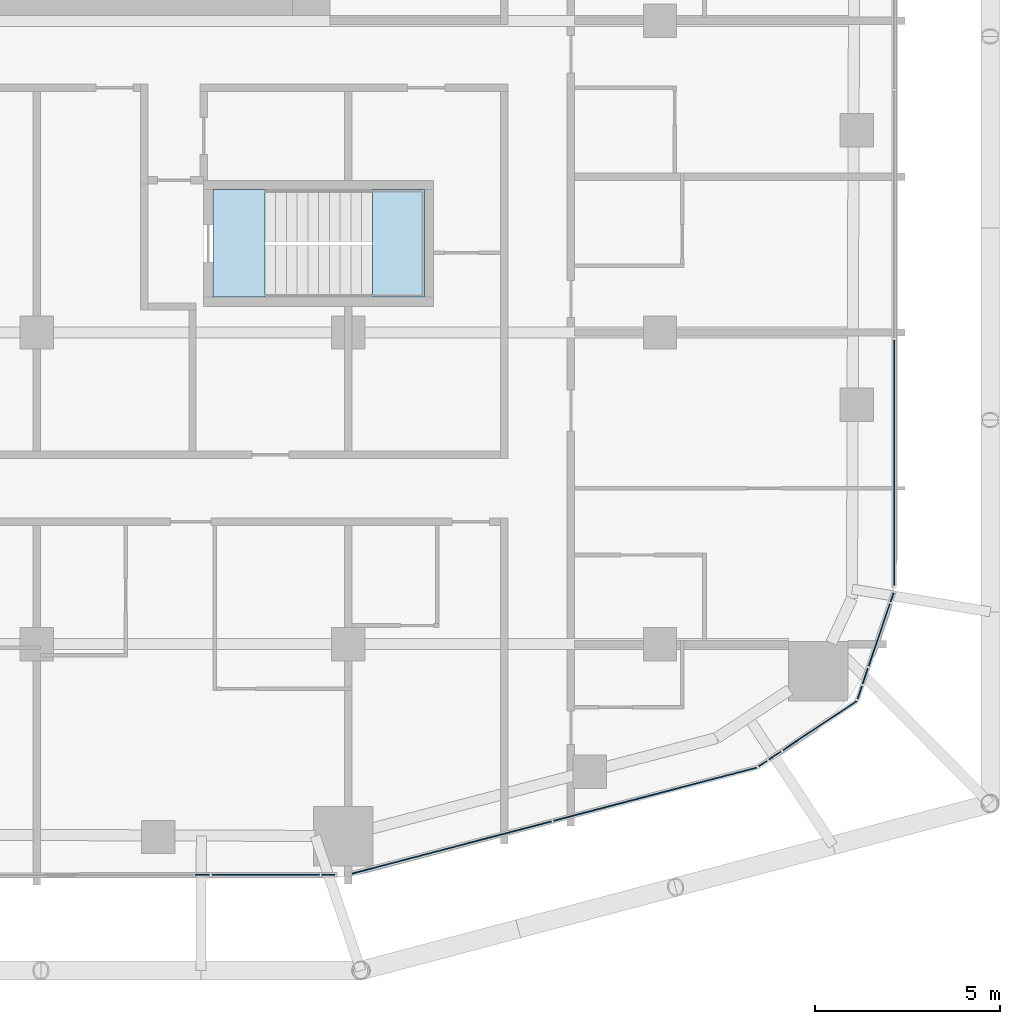
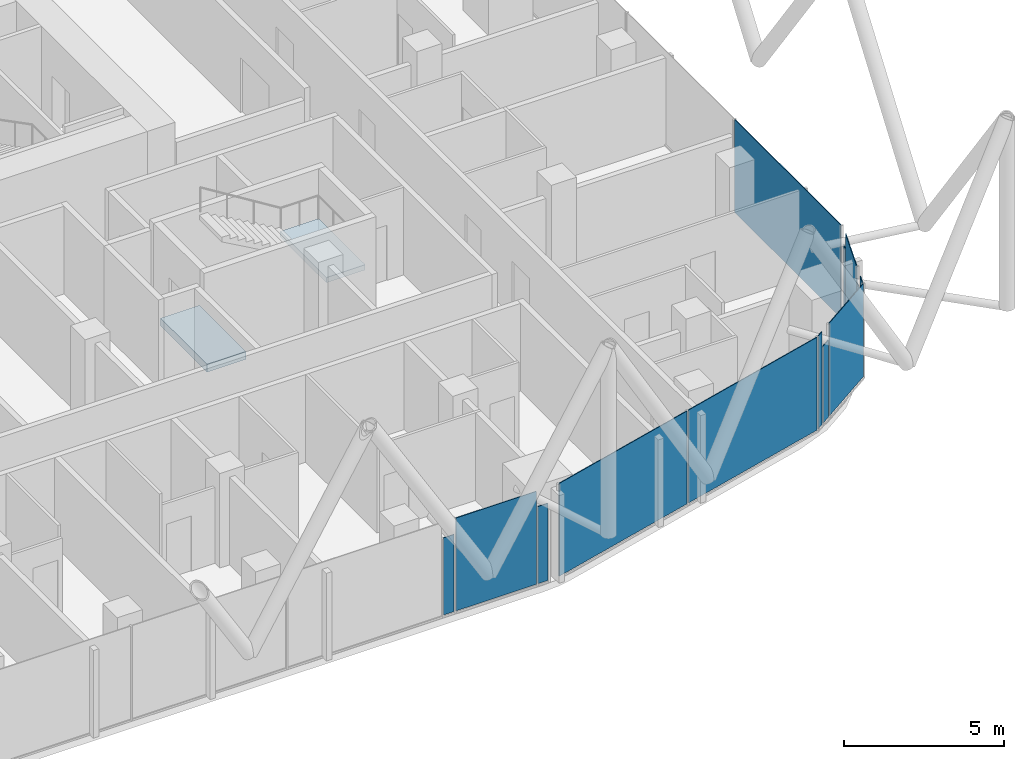
# One storey, part 22 of 36: 13 plates, 2 slabs, 13 elements without a shape of their own.
"""IFC4 building model written with IfcOpenShell, lengths in metres."""

from ifc_helpers import new_model, si_unit, direction, frame, origin, origin_2d, place, context, subcontext, project, spatial, polyline, rectangle, outline, extrude, material, layer, layer_set, type_object, element, aggregate, save


model = new_model("IFC4")

# Units and contexts
model_context = context("Model", 3, precision=1e-05, world=origin(), true_north=direction((0.0, 1.0)))
body_context = subcontext(model_context, "Body", "Model", "MODEL_VIEW")
ifc_project = project(units=[si_unit("LENGTHUNIT", "METRE"), si_unit("AREAUNIT", "SQUARE_METRE"), si_unit("VOLUMEUNIT", "CUBIC_METRE"), si_unit("PLANEANGLEUNIT", "RADIAN"), si_unit("MASSUNIT", "GRAM", prefix="KILO")], contexts=[model_context])

# Site, building, storey
site_placement = place(None, origin())
site = spatial("IfcSite", under=ifc_project, at=site_placement, CompositionType="ELEMENT")
building_placement = place(site_placement, origin())
building = spatial("IfcBuilding", under=site, at=building_placement, Name="Marenta Gate Hotel Tower", CompositionType="ELEMENT")
storey_placement = place(building_placement, frame((0.0, 0.0, 130.10009765625)))
storey = spatial("IfcBuildingStorey", under=building, at=storey_placement, Name="L29", CompositionType="ELEMENT", Elevation=130.10009765625)

# Curtain wall, plate
ifc_material_1 = material(Name="Tinted insulated glass in bronze anodised frame", Category="glass")
ifc_layer_1 = layer(ifc_material_1, 0.1201171875)
ifc_layer_set_1 = layer_set([ifc_layer_1], Name="Tinted insulated glass in bronze anodised frame")
curtain_wall_type = type_object("IfcCurtainWallType", Name="Tower unitised curtain wall CW1", PredefinedType="NOTDEFINED", material=ifc_layer_set_1)
curtain_wall_1_placement = place(storey_placement, origin())
curtain_wall_1 = element("IfcCurtainWall", 1, at=curtain_wall_1_placement, inside=storey, type_object=curtain_wall_type, Name="CW1 run G22", PredefinedType="NOTDEFINED")
ifc_material_2 = material(Name="Tinted insulated glass", Category="glass")
ifc_layer_2 = layer(ifc_material_2, 0.028076171875)
ifc_layer_set_2 = layer_set([ifc_layer_2], Name="Tinted insulated glass")
plate_type = type_object("IfcPlateType", Name="Glass panel CW1 28 mm tinted insulated unit", PredefinedType="CURTAIN_PANEL", material=ifc_layer_set_2)
plate_1_placement = place(storey_placement, frame((8.664306640625, -23.018798828125, 0.06005859375), z_axis=(0.0, 0.0, 1.0), x_axis=(0.999999122847, 0.001324502144, 0.0)))
plate_1 = element("IfcPlate", 2, at=plate_1_placement, type_object=plate_type, Name="CW1 panel 1.1", PredefinedType="CURTAIN_PANEL", context=body_context, shape_type="SweptSolid", body=[
    extrude(rectangle(XDim=0.39306640625, YDim=0.028076171875, at=origin_2d()), origin(), (0.0, 0.0, 1.0), 2.9404296875),
])
aggregate(curtain_wall_1, [plate_1])

curtain_wall_2_placement = place(storey_placement, origin())
curtain_wall_2 = element("IfcCurtainWall", 3, at=curtain_wall_2_placement, inside=storey, type_object=curtain_wall_type, Name="CW1 run G23", PredefinedType="NOTDEFINED")
plate_2_placement = place(storey_placement, frame((10.37109375, -23.016357421875, 0.059814453125), z_axis=(0.0, 0.0, 1.0), x_axis=(0.999999041285, 0.001384712772, 0.0)))
plate_2 = element("IfcPlate", 4, at=plate_2_placement, type_object=plate_type, Name="CW1 panel 1.1", PredefinedType="CURTAIN_PANEL", context=body_context, shape_type="SweptSolid", body=[
    extrude(rectangle(XDim=2.90087890625, YDim=0.028076171875, at=origin_2d()), origin(), (0.0, 0.0, 1.0), 3.5400390625),
])
aggregate(curtain_wall_2, [plate_2])

curtain_wall_3_placement = place(storey_placement, origin())
curtain_wall_3 = element("IfcCurtainWall", 5, at=curtain_wall_3_placement, inside=storey, type_object=curtain_wall_type, Name="CW1 run G24", PredefinedType="NOTDEFINED")
plate_3_placement = place(storey_placement, frame((12.060791015625, -23.013916015625, 0.06005859375), z_axis=(0.0, 0.0, 1.0), x_axis=(0.999999212858, 0.001254704164, 0.0)))
plate_3 = element("IfcPlate", 6, at=plate_3_placement, type_object=plate_type, Name="CW1 panel 1.1", PredefinedType="CURTAIN_PANEL", context=body_context, shape_type="SweptSolid", body=[
    extrude(rectangle(XDim=0.358154296875, YDim=0.028076171875, at=origin_2d()), origin(), (0.0, 0.0, 1.0), 2.9404296875),
])
aggregate(curtain_wall_3, [plate_3])

# Curtain wall, plates
curtain_wall_4_placement = place(storey_placement, origin())
curtain_wall_4 = element("IfcCurtainWall", 7, at=curtain_wall_4_placement, inside=storey, type_object=curtain_wall_type, Name="CW1 run G25", PredefinedType="NOTDEFINED")
plate_4_placement = place(storey_placement, frame((15.36474609375, -22.28857421875, 0.059814453125), z_axis=(0.0, 0.0, 1.0), x_axis=(0.967368326473, 0.253374270473, 0.0)))
plate_4 = element("IfcPlate", 8, at=plate_4_placement, type_object=plate_type, Name="CW1 panel 1.1", PredefinedType="CURTAIN_PANEL", context=body_context, shape_type="SweptSolid", body=[
    extrude(rectangle(XDim=5.6005859375, YDim=0.028076171875, at=origin_2d()), origin(), (0.0, 0.0, 1.0), 3.5400390625),
])
plate_5_placement = place(storey_placement, frame((20.86962890625, -20.8466796875, 0.059814453125), z_axis=(0.0, 0.0, 1.0), x_axis=(0.967368326473, 0.253374270473, 0.0)))
plate_5 = element("IfcPlate", 9, at=plate_5_placement, type_object=plate_type, Name="CW1 panel 2.1", PredefinedType="CURTAIN_PANEL", context=body_context, shape_type="SweptSolid", body=[
    extrude(rectangle(XDim=5.66064453125, YDim=0.028076171875, at=origin_2d()), origin(), (0.0, 0.0, 1.0), 3.5400390625),
])
aggregate(curtain_wall_4, [plate_4, plate_5])

# Curtain wall, plate
curtain_wall_5_placement = place(storey_placement, origin())
curtain_wall_5 = element("IfcCurtainWall", 10, at=curtain_wall_5_placement, inside=storey, type_object=curtain_wall_type, Name="CW1 run G26", PredefinedType="NOTDEFINED")
plate_6_placement = place(storey_placement, frame((23.7705078125, -20.021240234375, 0.059814453125), z_axis=(0.0, 0.0, 1.0), x_axis=(0.832606802594, 0.553864525199, 0.0)))
plate_6 = element("IfcPlate", 11, at=plate_6_placement, type_object=plate_type, Name="CW1 panel 1.1", PredefinedType="CURTAIN_PANEL", context=body_context, shape_type="SweptSolid", body=[
    extrude(rectangle(XDim=0.271484375, YDim=0.028076171875, at=origin_2d()), origin(), (0.0, 0.0, 1.0), 3.5400390625),
])
aggregate(curtain_wall_5, [plate_6])

curtain_wall_6_placement = place(storey_placement, origin())
curtain_wall_6 = element("IfcCurtainWall", 12, at=curtain_wall_6_placement, inside=storey, type_object=curtain_wall_type, Name="CW1 run G27", PredefinedType="NOTDEFINED")
plate_7_placement = place(storey_placement, frame((24.09716796875, -19.803955078125, 0.06005859375), z_axis=(0.0, 0.0, 1.0), x_axis=(0.832457612814, 0.554088731944, 0.0)))
plate_7 = element("IfcPlate", 13, at=plate_7_placement, type_object=plate_type, Name="CW1 panel 1.1", PredefinedType="CURTAIN_PANEL", context=body_context, shape_type="SweptSolid", body=[
    extrude(rectangle(XDim=0.39306640625, YDim=0.028076171875, at=origin_2d()), origin(), (0.0, 0.0, 1.0), 2.9404296875),
])
aggregate(curtain_wall_6, [plate_7])

curtain_wall_7_placement = place(storey_placement, origin())
curtain_wall_7 = element("IfcCurtainWall", 14, at=curtain_wall_7_placement, inside=storey, type_object=curtain_wall_type, Name="CW1 run G28", PredefinedType="NOTDEFINED")
plate_8_placement = place(storey_placement, frame((25.307861328125, -18.998291015625, 0.059814453125), z_axis=(0.0, 0.0, 1.0), x_axis=(0.832501127249, 0.554023350707, 0.0)))
plate_8 = element("IfcPlate", 15, at=plate_8_placement, type_object=plate_type, Name="CW1 panel 1.1", PredefinedType="CURTAIN_PANEL", context=body_context, shape_type="SweptSolid", body=[
    extrude(rectangle(XDim=2.3955078125, YDim=0.028076171875, at=origin_2d()), origin(), (0.0, 0.0, 1.0), 3.5400390625),
])
aggregate(curtain_wall_7, [plate_8])

curtain_wall_8_placement = place(storey_placement, origin())
curtain_wall_8 = element("IfcCurtainWall", 16, at=curtain_wall_8_placement, inside=storey, type_object=curtain_wall_type, Name="CW1 run G29", PredefinedType="NOTDEFINED")
plate_9_placement = place(storey_placement, frame((26.383544921875, -18.103515625, 0.059814453125), z_axis=(0.0, 0.0, 1.0), x_axis=(0.322036701561, 0.946727185016, 0.0)))
plate_9 = element("IfcPlate", 17, at=plate_9_placement, type_object=plate_type, Name="CW1 panel 1.1", PredefinedType="CURTAIN_PANEL", context=body_context, shape_type="SweptSolid", body=[
    extrude(rectangle(XDim=0.3681640625, YDim=0.028076171875, at=origin_2d()), origin(), (0.0, 0.0, 1.0), 3.5400390625),
])
aggregate(curtain_wall_8, [plate_9])

curtain_wall_9_placement = place(storey_placement, origin())
curtain_wall_9 = element("IfcCurtainWall", 18, at=curtain_wall_9_placement, inside=storey, type_object=curtain_wall_type, Name="CW1 run G30", PredefinedType="NOTDEFINED")
plate_10_placement = place(storey_placement, frame((26.533935546875, -17.6611328125, 0.06005859375), z_axis=(0.0, 0.0, 1.0), x_axis=(0.322030237029, 0.946729383953, 0.0)))
plate_10 = element("IfcPlate", 19, at=plate_10_placement, type_object=plate_type, Name="CW1 panel 1.1", PredefinedType="CURTAIN_PANEL", context=body_context, shape_type="SweptSolid", body=[
    extrude(rectangle(XDim=0.4462890625, YDim=0.028076171875, at=origin_2d()), origin(), (0.0, 0.0, 1.0), 2.9404296875),
])
aggregate(curtain_wall_9, [plate_10])

curtain_wall_10_placement = place(storey_placement, origin())
curtain_wall_10 = element("IfcCurtainWall", 20, at=curtain_wall_10_placement, inside=storey, type_object=curtain_wall_type, Name="CW1 run G31", PredefinedType="NOTDEFINED")
plate_11_placement = place(storey_placement, frame((26.91064453125, -16.553955078125, 0.059814453125), z_axis=(0.0, 0.0, 1.0), x_axis=(0.322031828824, 0.946728842502, 0.0)))
plate_11 = element("IfcPlate", 21, at=plate_11_placement, type_object=plate_type, Name="CW1 panel 1.1", PredefinedType="CURTAIN_PANEL", context=body_context, shape_type="SweptSolid", body=[
    extrude(rectangle(XDim=1.77294921875, YDim=0.028076171875, at=origin_2d()), origin(), (0.0, 0.0, 1.0), 3.5400390625),
])
aggregate(curtain_wall_10, [plate_11])

curtain_wall_11_placement = place(storey_placement, origin())
curtain_wall_11 = element("IfcCurtainWall", 22, at=curtain_wall_11_placement, inside=storey, type_object=curtain_wall_type, Name="CW1 run G32", PredefinedType="NOTDEFINED")
plate_12_placement = place(storey_placement, frame((27.255126953125, -15.541259765625, 0.06005859375), z_axis=(0.0, 0.0, 1.0), x_axis=(0.322039841818, 0.946726116827, 0.0)))
plate_12 = element("IfcPlate", 23, at=plate_12_placement, type_object=plate_type, Name="CW1 panel 1.1", PredefinedType="CURTAIN_PANEL", context=body_context, shape_type="SweptSolid", body=[
    extrude(rectangle(XDim=0.24609375, YDim=0.028076171875, at=origin_2d()), origin(), (0.0, 0.0, 1.0), 2.9404296875),
])
aggregate(curtain_wall_11, [plate_12])

curtain_wall_12_placement = place(storey_placement, origin())
curtain_wall_12 = element("IfcCurtainWall", 24, at=curtain_wall_12_placement, inside=storey, type_object=curtain_wall_type, Name="CW1 run G33", PredefinedType="NOTDEFINED")
plate_13_placement = place(storey_placement, frame((27.31396484375, -11.90625, 0.059814453125), z_axis=(0.0, 0.0, 1.0), x_axis=(0.0, 1.0, 0.0)))
plate_13 = element("IfcPlate", 25, at=plate_13_placement, type_object=plate_type, Name="CW1 panel 1.1", PredefinedType="CURTAIN_PANEL", context=body_context, shape_type="SweptSolid", body=[
    extrude(rectangle(XDim=6.617431640625, YDim=0.028076171875, at=origin_2d()), origin(), (0.0, 0.0, 1.0), 3.5400390625),
])
aggregate(curtain_wall_12, [plate_13])

# Stair, slab
ifc_material_3 = material(Name="Concrete C40", Category="concrete")
stair_type = type_object("IfcStairType", Name="Remote exit stair 1400 wide", PredefinedType="HALF_TURN_STAIR", material=ifc_material_3)
stair_placement = place(storey_placement, origin())
stair = element("IfcStair", 26, at=stair_placement, inside=storey, type_object=stair_type, Name="Exit stair RS-Z2-2", PredefinedType="HALF_TURN_STAIR")
ifc_material_4 = material(Name="Concrete C40", Category="concrete")
ifc_layer_3 = layer(ifc_material_4, 0.199951171875)
ifc_layer_set_3 = layer_set([ifc_layer_3], Name="Concrete C40")
slab_type_1 = type_object("IfcSlabType", Name="Remote stair landing 200", PredefinedType="LANDING", material=ifc_layer_set_3)
slab_1_placement = place(storey_placement, frame((0.0, 0.0, 1.599853515625)))
slab_1 = element("IfcSlab", 27, at=slab_1_placement, type_object=slab_type_1, Name="RL-200 RS-Z2-2 landing 1", PredefinedType="LANDING", context=body_context, shape_type="SweptSolid", body=[
    extrude(outline(polyline([(13.25, -7.449951171875), (14.64990234375, -7.449951171875), (14.64990234375, -4.550048828125), (13.25, -4.550048828125), (13.25, -7.449951171875)])), origin(), (0.0, 0.0, 1.0), 0.199951171875),
])
aggregate(stair, [slab_1])

# Slab
ifc_material_5 = material(Name="Concrete C40", Category="concrete")
ifc_layer_4 = layer(ifc_material_5, 0.300048828125)
ifc_layer_set_4 = layer_set([ifc_layer_4], Name="Concrete C40")
slab_type_2 = type_object("IfcSlabType", Name="Stair floor landing slab 300", PredefinedType="FLOOR", material=ifc_layer_set_4)
slab_2_placement = place(storey_placement, frame((0.0, 0.0, -0.300048828125)))
element("IfcSlab", 28, at=slab_2_placement, inside=storey, type_object=slab_type_2, Name="L29-RS-Z2-2-CL", PredefinedType="FLOOR", context=body_context, shape_type="SweptSolid", body=[
    extrude(outline(polyline([(10.35009765625, -7.449951171875), (10.35009765625, -4.550048828125), (8.949951171875, -4.550048828125), (8.949951171875, -7.449951171875), (10.35009765625, -7.449951171875)])), origin(), (0.0, 0.0, 1.0), 0.300048828125),
])

save(model, "model.ifc")
